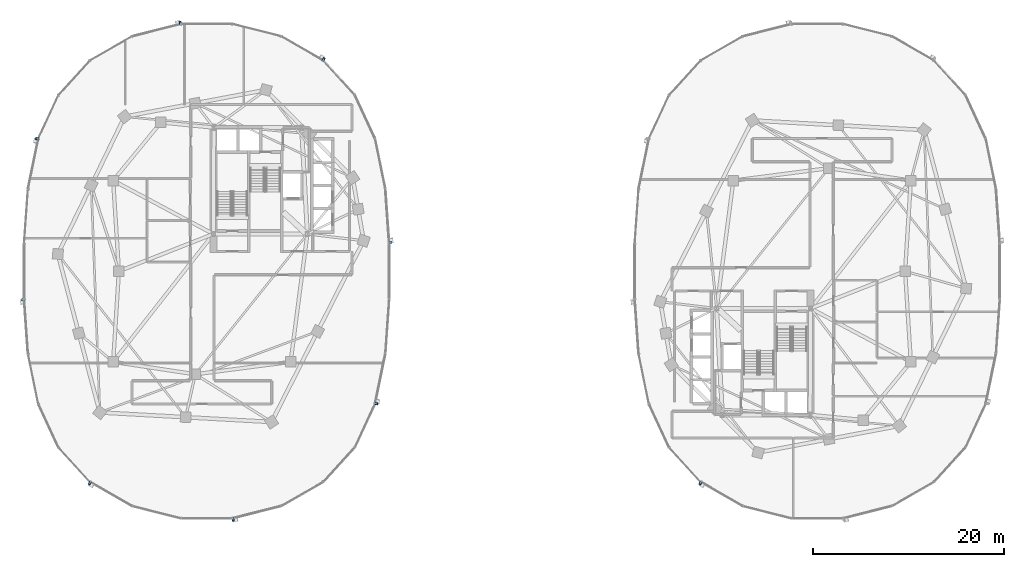
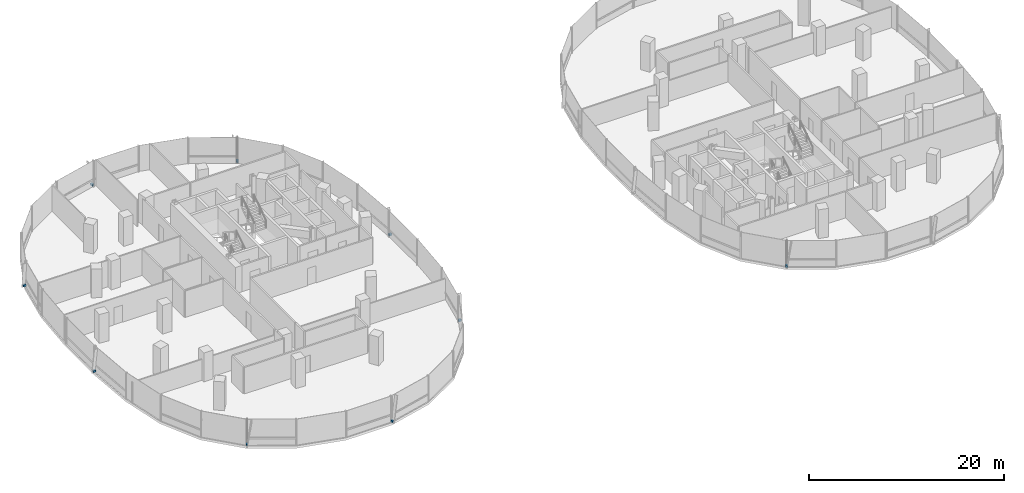
# One storey, part 15 of 21: 9 discrete accessories.
"""IFC4 building model written with IfcOpenShell, lengths in metres."""

from ifc_helpers import new_model, si_unit, direction, frame, origin, origin_2d, place, context, subcontext, project, spatial, rectangle, extrude, material, type_object, element, save


model = new_model("IFC4")

# Units and contexts
model_context = context("Model", 3, precision=1e-05, world=origin(), true_north=direction((0.0, 1.0)))
body_context = subcontext(model_context, "Body", "Model", "MODEL_VIEW")
ifc_project = project(units=[si_unit("LENGTHUNIT", "METRE"), si_unit("AREAUNIT", "SQUARE_METRE"), si_unit("VOLUMEUNIT", "CUBIC_METRE"), si_unit("PLANEANGLEUNIT", "RADIAN"), si_unit("MASSUNIT", "GRAM", prefix="KILO"), si_unit("THERMODYNAMICTEMPERATUREUNIT", "KELVIN"), si_unit("POWERUNIT", "WATT")], contexts=[model_context])

# Site, building, storey
site_placement = place(None, origin())
site = spatial("IfcSite", under=ifc_project, at=site_placement, CompositionType="ELEMENT")
building_placement = place(site_placement, origin())
building = spatial("IfcBuilding", under=site, at=building_placement, Name="Cundina Bronze Exchange", CompositionType="ELEMENT")
storey_placement = place(building_placement, frame((0.0, 0.0, 96.199951171875)))
storey = spatial("IfcBuildingStorey", under=building, at=storey_placement, Name="L24", CompositionType="ELEMENT", Elevation=96.199951171875)

# Discrete accessories
ifc_material = material(Name="Anodised Bronze Aluminium 6063-T6", Category="aluminium")
discrete_accessory_type = type_object("IfcDiscreteAccessoryType", Name="ACC-BRK-FIN", PredefinedType="BRACKET", material=ifc_material)
for number, where, z_axis, x_axis, name in (
    (1, (-12.735595703125, 2.986083984375, 0.10009765625), (0.0, 0.0, 1.0), (-0.070278787473, 0.997527389113, 0.0), "L24 Fin Support Bracket 1"),
    (2, (-19.740478515625, 22.21875, 0.10009765625), (0.0, 0.0, 1.0), (-0.867105478933, 0.498124571171, 0.0), "L24 Fin Support Bracket 5"),
    (3, (-34.76025390625, 26.03173828125, 0.10009765625), (0.0, 0.0, 1.0), (-0.969488149345, -0.245138182011, 0.0), "L24 Fin Support Bracket 1"),
    (4, (-49.788330078125, 13.8896484375, 0.10009765625), (0.0, 0.0, 1.0), (-0.201419845156, -0.979505000486, 0.0), "L24 Fin Support Bracket 5"),
    (5, (-51.264404296875, -2.986083984375, 0.10009765625), (0.0, 0.0, 1.0), (0.070278787473, -0.997527389113, 0.0), "L24 Fin Support Bracket 1"),
    (6, (-44.259521484375, -22.21875, 0.10009765625), (0.0, 0.0, 1.0), (0.867105478933, -0.498124571171, 0.0), "L24 Fin Support Bracket 5"),
    (7, (-29.23974609375, -26.03173828125, 0.10009765625), (0.0, 0.0, 1.0), (0.969488149345, 0.245138182011, 0.0), "L24 Fin Support Bracket 1"),
    (8, (-14.211669921875, -13.8896484375, 0.10009765625), (0.0, 0.0, 1.0), (0.201419845156, 0.979505000486, 0.0), "L24 Fin Support Bracket 5"),
    (9, (19.740478515625, -22.21875, 0.10009765625), (0.0, 0.0, 1.0), (0.867105478933, -0.498124571171, 0.0), "L24 Fin Support Bracket 5"),
):
    element("IfcDiscreteAccessory", number, at=place(storey_placement, frame(where, z_axis=z_axis, x_axis=x_axis)), inside=storey, type_object=discrete_accessory_type, Name=name, PredefinedType="BRACKET", context=body_context, shape_type="SweptSolid", body=[
        extrude(rectangle(XDim=0.219970703125, YDim=0.320068359375, at=origin_2d()), origin(), (0.0, 0.0, 1.0), 0.239990234375),
    ])

save(model, "model.ifc")
